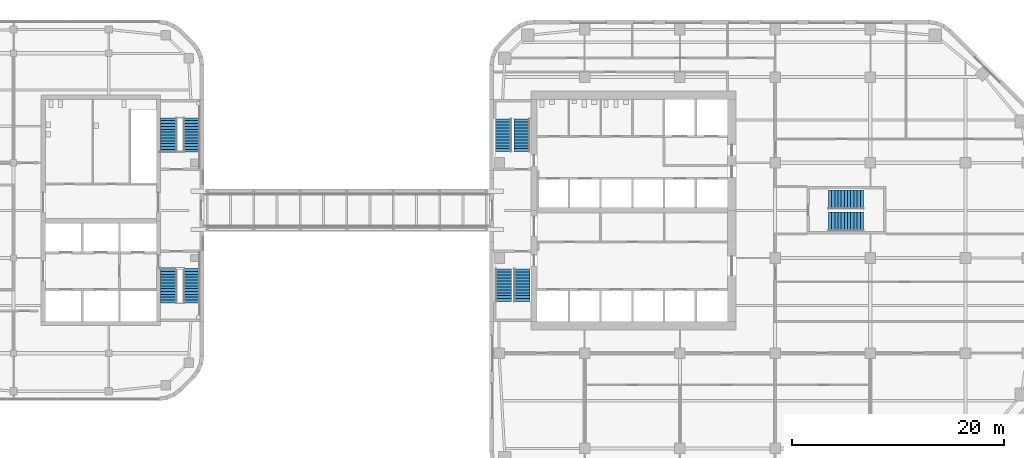
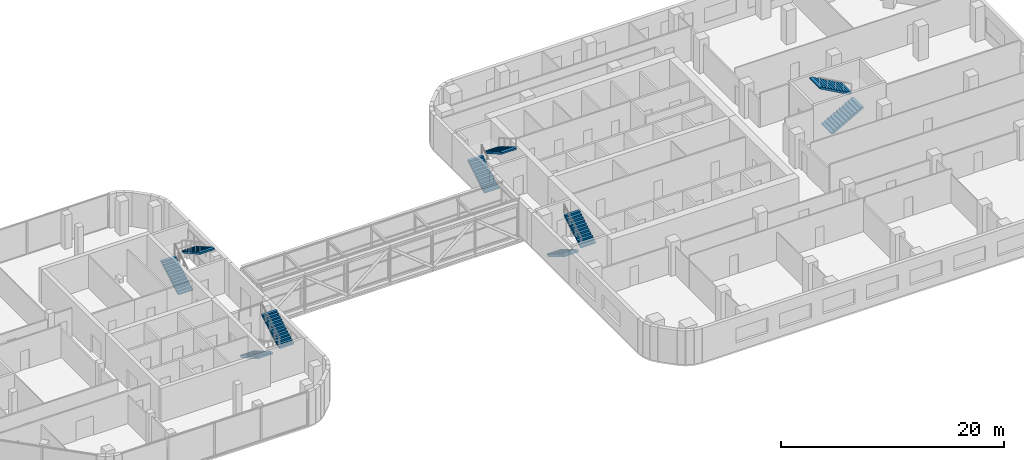
# One storey, part 18 of 21: 10 stair flights, 5 elements without a shape of their own.
"""IFC4 building model written with IfcOpenShell, lengths in metres."""

from ifc_helpers import new_model, si_unit, direction, frame, origin, place, context, subcontext, project, spatial, polyline, outline, extrude, material, type_object, element, aggregate, save


model = new_model("IFC4")

# Units and contexts
model_context = context("Model", 3, precision=1e-05, world=origin(), true_north=direction((0.0, 1.0)))
body_context = subcontext(model_context, "Body", "Model", "MODEL_VIEW")
ifc_project = project(units=[si_unit("LENGTHUNIT", "METRE"), si_unit("AREAUNIT", "SQUARE_METRE"), si_unit("VOLUMEUNIT", "CUBIC_METRE"), si_unit("PLANEANGLEUNIT", "RADIAN"), si_unit("MASSUNIT", "GRAM", prefix="KILO")], contexts=[model_context])

# Site, building, storey
site_placement = place(None, origin())
site = spatial("IfcSite", under=ifc_project, at=site_placement, CompositionType="ELEMENT")
building_placement = place(site_placement, origin())
building = spatial("IfcBuilding", under=site, at=building_placement, Name="Cinnabar Reach Civic Tower", CompositionType="ELEMENT")
storey_placement = place(building_placement, frame((0.0, 0.0, 140.0)))
storey = spatial("IfcBuildingStorey", under=building, at=storey_placement, Name="L33", CompositionType="ELEMENT", Elevation=140.0)

# Stair, stair flights
ifc_material_1 = material(Name="Concrete C40/50", Category="concrete")
stair_type_1 = type_object("IfcStairType", Name="T1 Exit stair, half-turn", PredefinedType="HALF_TURN_STAIR", material=ifc_material_1)
stair_1_placement = place(storey_placement, origin())
stair_1 = element("IfcStair", 1, at=stair_1_placement, inside=storey, type_object=stair_type_1, Name="Stair T1-S1", PredefinedType="HALF_TURN_STAIR")
stair_flight_type_1 = type_object("IfcStairFlightType", Name="T1 Stair flight, concrete", PredefinedType="STRAIGHT", material=ifc_material_1)
stair_flight_1_placement = place(storey_placement, frame((1.3125, 25.95, 0.0), z_axis=(0.0, 0.0, 1.0), x_axis=(0.0, -1.0, 0.0)))
stair_flight_1 = element("IfcStairFlight", 2, at=stair_flight_1_placement, type_object=stair_flight_type_1, Name="T1-S1 flight 1", NumberOfRisers=12, NumberOfTreads=11, PredefinedType="STRAIGHT", RiserHeight=0.166666667, TreadLength=0.28, context=body_context, shape_type="SweptSolid", body=[
    extrude(outline(polyline([(0.0, 0.0), (0.0, 0.1667), (0.28, 0.1667), (0.28, 0.3333), (0.56, 0.3333), (0.56, 0.5), (0.84, 0.5), (0.84, 0.6667), (1.12, 0.6667), (1.12, 0.8333), (1.4, 0.8333), (1.4, 1.0), (1.68, 1.0), (1.68, 1.1667), (1.96, 1.1667), (1.96, 1.3333), (2.24, 1.3333), (2.24, 1.5), (2.52, 1.5), (2.52, 1.6667), (2.8, 1.6667), (2.8, 1.8333), (3.08, 1.8333), (3.08, 2.0), (3.08, 1.6588), (0.2933, 0.0), (0.0, 0.0)])), frame((0.0, 0.7625, 0.0), z_axis=(0.0, -1.0, 0.0), x_axis=(1.0, 0.0, 0.0)), (0.0, 0.0, 1.0), 1.525),
])
stair_flight_2_placement = place(storey_placement, frame((3.0875, 22.87, 2.0), z_axis=(0.0, 0.0, 1.0), x_axis=(0.0, 1.0, 0.0)))
stair_flight_2 = element("IfcStairFlight", 3, at=stair_flight_2_placement, type_object=stair_flight_type_1, Name="T1-S1 flight 2", NumberOfRisers=12, NumberOfTreads=11, PredefinedType="STRAIGHT", RiserHeight=0.166666667, TreadLength=0.28, context=body_context, shape_type="SweptSolid", body=[
    extrude(outline(polyline([(0.0, 0.0), (0.0, 0.1667), (0.28, 0.1667), (0.28, 0.3333), (0.56, 0.3333), (0.56, 0.5), (0.84, 0.5), (0.84, 0.6667), (1.12, 0.6667), (1.12, 0.8333), (1.4, 0.8333), (1.4, 1.0), (1.68, 1.0), (1.68, 1.1667), (1.96, 1.1667), (1.96, 1.3333), (2.24, 1.3333), (2.24, 1.5), (2.52, 1.5), (2.52, 1.6667), (2.8, 1.6667), (2.8, 1.8333), (3.08, 1.8333), (3.08, 2.0), (3.08, 1.6588), (0.2933, 0.0), (0.0, 0.0)])), frame((0.0, 0.7625, 0.0), z_axis=(0.0, -1.0, 0.0), x_axis=(1.0, 0.0, 0.0)), (0.0, 0.0, 1.0), 1.525),
])
aggregate(stair_1, [stair_flight_1, stair_flight_2])

stair_2_placement = place(storey_placement, origin())
stair_2 = element("IfcStair", 4, at=stair_2_placement, inside=storey, type_object=stair_type_1, Name="Stair T1-S2", PredefinedType="HALF_TURN_STAIR")
stair_flight_3_placement = place(storey_placement, frame((1.3125, 37.05, 0.0), z_axis=(0.0, 0.0, 1.0), x_axis=(0.0, 1.0, 0.0)))
stair_flight_3 = element("IfcStairFlight", 5, at=stair_flight_3_placement, type_object=stair_flight_type_1, Name="T1-S2 flight 1", NumberOfRisers=12, NumberOfTreads=11, PredefinedType="STRAIGHT", RiserHeight=0.166666667, TreadLength=0.28, context=body_context, shape_type="SweptSolid", body=[
    extrude(outline(polyline([(0.0, 0.0), (0.0, 0.1667), (0.28, 0.1667), (0.28, 0.3333), (0.56, 0.3333), (0.56, 0.5), (0.84, 0.5), (0.84, 0.6667), (1.12, 0.6667), (1.12, 0.8333), (1.4, 0.8333), (1.4, 1.0), (1.68, 1.0), (1.68, 1.1667), (1.96, 1.1667), (1.96, 1.3333), (2.24, 1.3333), (2.24, 1.5), (2.52, 1.5), (2.52, 1.6667), (2.8, 1.6667), (2.8, 1.8333), (3.08, 1.8333), (3.08, 2.0), (3.08, 1.6588), (0.2933, 0.0), (0.0, 0.0)])), frame((0.0, 0.7625, 0.0), z_axis=(0.0, -1.0, 0.0), x_axis=(1.0, 0.0, 0.0)), (0.0, 0.0, 1.0), 1.525),
])
stair_flight_4_placement = place(storey_placement, frame((3.0875, 40.13, 2.0), z_axis=(0.0, 0.0, 1.0), x_axis=(0.0, -1.0, 0.0)))
stair_flight_4 = element("IfcStairFlight", 6, at=stair_flight_4_placement, type_object=stair_flight_type_1, Name="T1-S2 flight 2", NumberOfRisers=12, NumberOfTreads=11, PredefinedType="STRAIGHT", RiserHeight=0.166666667, TreadLength=0.28, context=body_context, shape_type="SweptSolid", body=[
    extrude(outline(polyline([(0.0, 0.0), (0.0, 0.1667), (0.28, 0.1667), (0.28, 0.3333), (0.56, 0.3333), (0.56, 0.5), (0.84, 0.5), (0.84, 0.6667), (1.12, 0.6667), (1.12, 0.8333), (1.4, 0.8333), (1.4, 1.0), (1.68, 1.0), (1.68, 1.1667), (1.96, 1.1667), (1.96, 1.3333), (2.24, 1.3333), (2.24, 1.5), (2.52, 1.5), (2.52, 1.6667), (2.8, 1.6667), (2.8, 1.8333), (3.08, 1.8333), (3.08, 2.0), (3.08, 1.6588), (0.2933, 0.0), (0.0, 0.0)])), frame((0.0, 0.7625, 0.0), z_axis=(0.0, -1.0, 0.0), x_axis=(1.0, 0.0, 0.0)), (0.0, 0.0, 1.0), 1.525),
])
aggregate(stair_2, [stair_flight_3, stair_flight_4])

stair_3_placement = place(storey_placement, origin())
stair_3 = element("IfcStair", 7, at=stair_3_placement, inside=storey, type_object=stair_type_1, Name="Stair T1-S3", PredefinedType="HALF_TURN_STAIR")
stair_flight_5_placement = place(storey_placement, frame((32.05, 30.45, 0.0), z_axis=(0.0, 0.0, 1.0), x_axis=(1.0, 0.0, 0.0)))
stair_flight_5 = element("IfcStairFlight", 8, at=stair_flight_5_placement, type_object=stair_flight_type_1, Name="T1-S3 flight 1", NumberOfRisers=12, NumberOfTreads=11, PredefinedType="STRAIGHT", RiserHeight=0.166666667, TreadLength=0.3, context=body_context, shape_type="SweptSolid", body=[
    extrude(outline(polyline([(0.0, 0.0), (0.0, 0.1667), (0.3, 0.1667), (0.3, 0.3333), (0.6, 0.3333), (0.6, 0.5), (0.9, 0.5), (0.9, 0.6667), (1.2, 0.6667), (1.2, 0.8333), (1.5, 0.8333), (1.5, 1.0), (1.8, 1.0), (1.8, 1.1667), (2.1, 1.1667), (2.1, 1.3333), (2.4, 1.3333), (2.4, 1.5), (2.7, 1.5), (2.7, 1.6667), (3.0, 1.6667), (3.0, 1.8333), (3.3, 1.8333), (3.3, 2.0), (3.3, 1.6617), (0.3089, 0.0), (0.0, 0.0)])), frame((0.0, 0.9, 0.0), z_axis=(0.0, -1.0, 0.0), x_axis=(1.0, 0.0, 0.0)), (0.0, 0.0, 1.0), 1.8),
])
stair_flight_6_placement = place(storey_placement, frame((35.35, 32.55, 2.0), z_axis=(0.0, 0.0, 1.0), x_axis=(-1.0, 0.0, 0.0)))
stair_flight_6 = element("IfcStairFlight", 9, at=stair_flight_6_placement, type_object=stair_flight_type_1, Name="T1-S3 flight 2", NumberOfRisers=12, NumberOfTreads=11, PredefinedType="STRAIGHT", RiserHeight=0.166666667, TreadLength=0.3, context=body_context, shape_type="SweptSolid", body=[
    extrude(outline(polyline([(0.0, 0.0), (0.0, 0.1667), (0.3, 0.1667), (0.3, 0.3333), (0.6, 0.3333), (0.6, 0.5), (0.9, 0.5), (0.9, 0.6667), (1.2, 0.6667), (1.2, 0.8333), (1.5, 0.8333), (1.5, 1.0), (1.8, 1.0), (1.8, 1.1667), (2.1, 1.1667), (2.1, 1.3333), (2.4, 1.3333), (2.4, 1.5), (2.7, 1.5), (2.7, 1.6667), (3.0, 1.6667), (3.0, 1.8333), (3.3, 1.8333), (3.3, 2.0), (3.3, 1.6617), (0.3089, 0.0), (0.0, 0.0)])), frame((0.0, 0.9, 0.0), z_axis=(0.0, -1.0, 0.0), x_axis=(1.0, 0.0, 0.0)), (0.0, 0.0, 1.0), 1.8),
])
aggregate(stair_3, [stair_flight_5, stair_flight_6])

ifc_material_2 = material(Name="Concrete C40", Category="concrete")
stair_type_2 = type_object("IfcStairType", Name="T2 Exit stair 1500", PredefinedType="HALF_TURN_STAIR", material=ifc_material_2)
stair_4_placement = place(storey_placement, origin())
stair_4 = element("IfcStair", 10, at=stair_4_placement, inside=storey, type_object=stair_type_2, Name="Exit stair 1", PredefinedType="HALF_TURN_STAIR")
stair_flight_type_2 = type_object("IfcStairFlightType", Name="T2 Stair flight 1500", PredefinedType="STRAIGHT", material=ifc_material_2)
stair_flight_7_placement = place(storey_placement, frame((-30.35, 26.0, 0.0), z_axis=(0.0, 0.0, 1.0), x_axis=(0.0, -1.0, 0.0)))
stair_flight_7 = element("IfcStairFlight", 11, at=stair_flight_7_placement, type_object=stair_flight_type_2, Name="ST1 flight 1", NumberOfRisers=13, NumberOfTreads=12, PredefinedType="STRAIGHT", RiserHeight=0.153846154, TreadLength=0.270833333, context=body_context, shape_type="SweptSolid", body=[
    extrude(outline(polyline([(0.0, 0.0), (0.0, 0.1538), (0.2708, 0.1538), (0.2708, 0.3077), (0.5417, 0.3077), (0.5417, 0.4615), (0.8125, 0.4615), (0.8125, 0.6154), (1.0833, 0.6154), (1.0833, 0.7692), (1.3542, 0.7692), (1.3542, 0.9231), (1.625, 0.9231), (1.625, 1.0769), (1.8958, 1.0769), (1.8958, 1.2308), (2.1667, 1.2308), (2.1667, 1.3846), (2.4375, 1.3846), (2.4375, 1.5385), (2.7083, 1.5385), (2.7083, 1.6923), (2.9792, 1.6923), (2.9792, 1.8462), (3.25, 1.8462), (3.25, 2.0), (3.25, 1.6736), (0.3037, 0.0), (0.0, 0.0)])), frame((0.0, 0.75, 0.0), z_axis=(0.0, -1.0, 0.0), x_axis=(1.0, 0.0, 0.0)), (0.0, 0.0, 1.0), 1.5),
])
stair_flight_8_placement = place(storey_placement, frame((-28.15, 22.75, 2.0), z_axis=(0.0, 0.0, 1.0), x_axis=(0.0, 1.0, 0.0)))
stair_flight_8 = element("IfcStairFlight", 12, at=stair_flight_8_placement, type_object=stair_flight_type_2, Name="ST1 flight 2", NumberOfRisers=13, NumberOfTreads=12, PredefinedType="STRAIGHT", RiserHeight=0.153846154, TreadLength=0.270833333, context=body_context, shape_type="SweptSolid", body=[
    extrude(outline(polyline([(0.0, 0.0), (0.0, 0.1538), (0.2708, 0.1538), (0.2708, 0.3077), (0.5417, 0.3077), (0.5417, 0.4615), (0.8125, 0.4615), (0.8125, 0.6154), (1.0833, 0.6154), (1.0833, 0.7692), (1.3542, 0.7692), (1.3542, 0.9231), (1.625, 0.9231), (1.625, 1.0769), (1.8958, 1.0769), (1.8958, 1.2308), (2.1667, 1.2308), (2.1667, 1.3846), (2.4375, 1.3846), (2.4375, 1.5385), (2.7083, 1.5385), (2.7083, 1.6923), (2.9792, 1.6923), (2.9792, 1.8462), (3.25, 1.8462), (3.25, 2.0), (3.25, 1.6736), (0.3037, 0.0), (0.0, 0.0)])), frame((0.0, 0.75, 0.0), z_axis=(0.0, -1.0, 0.0), x_axis=(1.0, 0.0, 0.0)), (0.0, 0.0, 1.0), 1.5),
])
aggregate(stair_4, [stair_flight_7, stair_flight_8])

stair_5_placement = place(storey_placement, origin())
stair_5 = element("IfcStair", 13, at=stair_5_placement, inside=storey, type_object=stair_type_2, Name="Exit stair 2", PredefinedType="HALF_TURN_STAIR")
stair_flight_9_placement = place(storey_placement, frame((-30.35, 37.0, 0.0), z_axis=(0.0, 0.0, 1.0), x_axis=(0.0, 1.0, 0.0)))
stair_flight_9 = element("IfcStairFlight", 14, at=stair_flight_9_placement, type_object=stair_flight_type_2, Name="ST2 flight 1", NumberOfRisers=13, NumberOfTreads=12, PredefinedType="STRAIGHT", RiserHeight=0.153846154, TreadLength=0.270833333, context=body_context, shape_type="SweptSolid", body=[
    extrude(outline(polyline([(0.0, 0.0), (0.0, 0.1538), (0.2708, 0.1538), (0.2708, 0.3077), (0.5417, 0.3077), (0.5417, 0.4615), (0.8125, 0.4615), (0.8125, 0.6154), (1.0833, 0.6154), (1.0833, 0.7692), (1.3542, 0.7692), (1.3542, 0.9231), (1.625, 0.9231), (1.625, 1.0769), (1.8958, 1.0769), (1.8958, 1.2308), (2.1667, 1.2308), (2.1667, 1.3846), (2.4375, 1.3846), (2.4375, 1.5385), (2.7083, 1.5385), (2.7083, 1.6923), (2.9792, 1.6923), (2.9792, 1.8462), (3.25, 1.8462), (3.25, 2.0), (3.25, 1.6736), (0.3037, 0.0), (0.0, 0.0)])), frame((0.0, 0.75, 0.0), z_axis=(0.0, -1.0, 0.0), x_axis=(1.0, 0.0, 0.0)), (0.0, 0.0, 1.0), 1.5),
])
stair_flight_10_placement = place(storey_placement, frame((-28.15, 40.25, 2.0), z_axis=(0.0, 0.0, 1.0), x_axis=(0.0, -1.0, 0.0)))
stair_flight_10 = element("IfcStairFlight", 15, at=stair_flight_10_placement, type_object=stair_flight_type_2, Name="ST2 flight 2", NumberOfRisers=13, NumberOfTreads=12, PredefinedType="STRAIGHT", RiserHeight=0.153846154, TreadLength=0.270833333, context=body_context, shape_type="SweptSolid", body=[
    extrude(outline(polyline([(0.0, 0.0), (0.0, 0.1538), (0.2708, 0.1538), (0.2708, 0.3077), (0.5417, 0.3077), (0.5417, 0.4615), (0.8125, 0.4615), (0.8125, 0.6154), (1.0833, 0.6154), (1.0833, 0.7692), (1.3542, 0.7692), (1.3542, 0.9231), (1.625, 0.9231), (1.625, 1.0769), (1.8958, 1.0769), (1.8958, 1.2308), (2.1667, 1.2308), (2.1667, 1.3846), (2.4375, 1.3846), (2.4375, 1.5385), (2.7083, 1.5385), (2.7083, 1.6923), (2.9792, 1.6923), (2.9792, 1.8462), (3.25, 1.8462), (3.25, 2.0), (3.25, 1.6736), (0.3037, 0.0), (0.0, 0.0)])), frame((0.0, 0.75, 0.0), z_axis=(0.0, -1.0, 0.0), x_axis=(1.0, 0.0, 0.0)), (0.0, 0.0, 1.0), 1.5),
])
aggregate(stair_5, [stair_flight_9, stair_flight_10])

save(model, "model.ifc")
